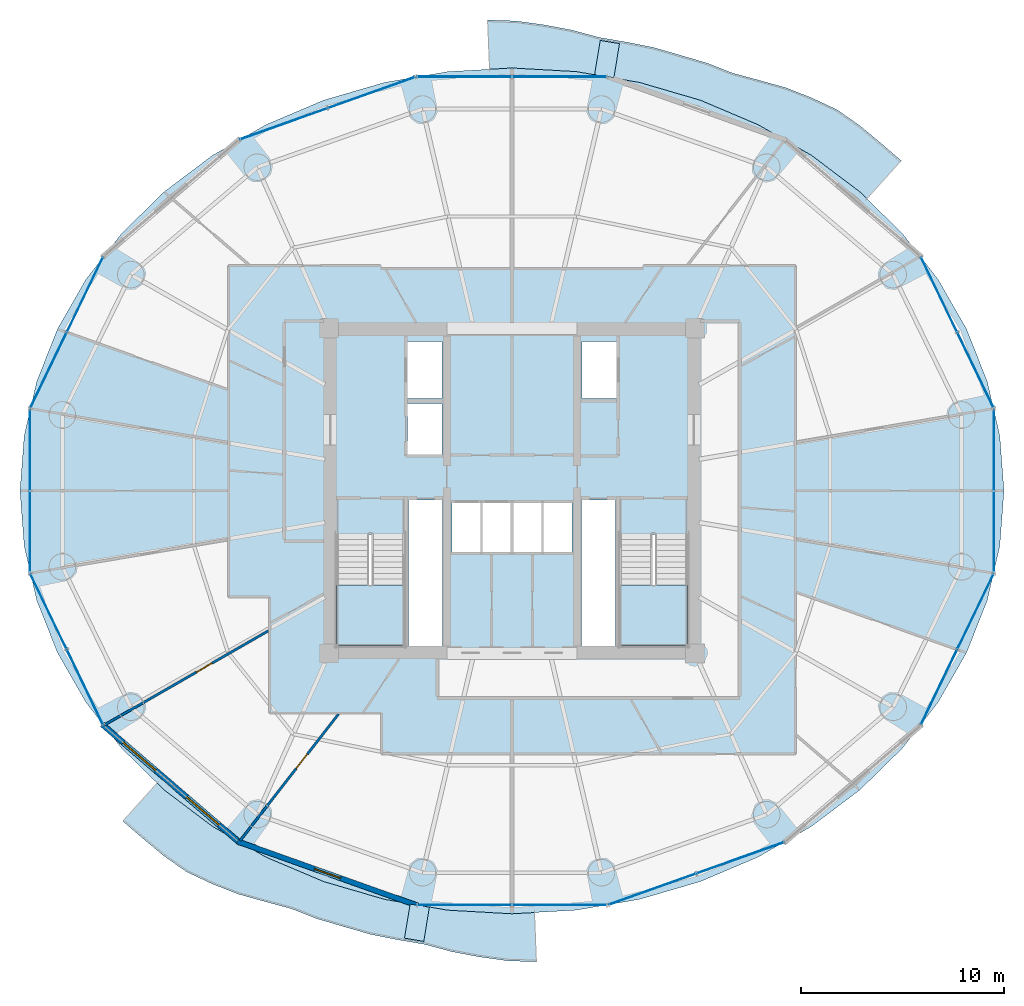
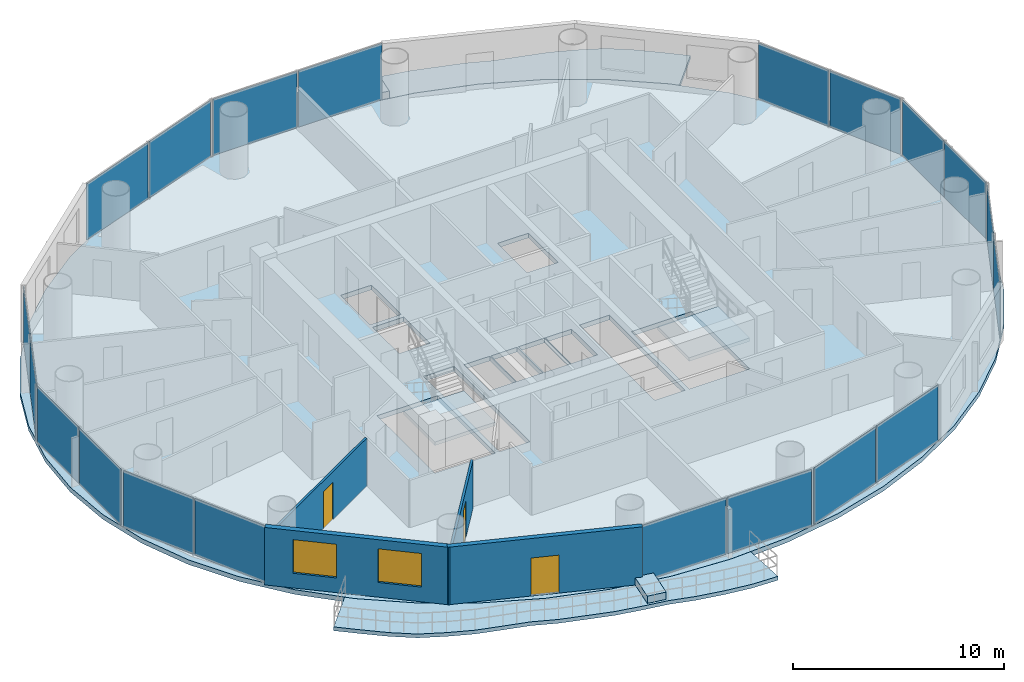
# One storey, part 19 of 26: 20 plates, 7 slabs, 4 walls, 3 doors, 2 windows, 5 openings, 12 elements without a shape of their own.
"""IFC4 building model written with IfcOpenShell, lengths in metres."""

from ifc_helpers import new_model, si_unit, direction, frame, frame_2d, origin, origin_2d, place, context, subcontext, project, spatial, polyline, rectangle, outline, extrude, source, transform, mapped, material, layer, layer_set, type_object, element, fill, aggregate, save


model = new_model("IFC4")

# Units and contexts
model_context = context("Model", 3, precision=1e-05, world=origin(), true_north=direction((-0.2419218956, 0.970295726276)))
body_context = subcontext(model_context, "Body", "Model", "MODEL_VIEW")
ifc_project = project(units=[si_unit("LENGTHUNIT", "METRE"), si_unit("AREAUNIT", "SQUARE_METRE"), si_unit("VOLUMEUNIT", "CUBIC_METRE"), si_unit("PLANEANGLEUNIT", "RADIAN"), si_unit("MASSUNIT", "GRAM", prefix="KILO")], contexts=[model_context])

# Site, building, storey
site_placement = place(None, origin())
site = spatial("IfcSite", under=ifc_project, at=site_placement, CompositionType="ELEMENT")
building_placement = place(site_placement, origin())
building = spatial("IfcBuilding", under=site, at=building_placement, Name="Cobrevalo Terracotta Tower", CompositionType="ELEMENT")
storey_placement = place(building_placement, frame((0.0, 0.0, 175.0)))
storey = spatial("IfcBuildingStorey", under=building, at=storey_placement, Name="L46", CompositionType="ELEMENT", Elevation=175.0)

# Stair, slab
ifc_material_1 = material(Name="Concrete C50", Category="concrete")
stair_type = type_object("IfcStairType", Name="Core protected escape dogleg stair 1600", PredefinedType="HALF_TURN_STAIR", material=ifc_material_1)
stair_1_placement = place(storey_placement, origin())
stair_1 = element("IfcStair", 1, at=stair_1_placement, inside=storey, type_object=stair_type, Name="L46 Protected exit stair ST-1", PredefinedType="HALF_TURN_STAIR")
ifc_layer_1 = layer(ifc_material_1, 0.199951171875)
ifc_layer_set_1 = layer_set([ifc_layer_1], Name="Concrete C50")
slab_type_1 = type_object("IfcSlabType", Name="Reinforced Concrete Stair Landing 200", PredefinedType="LANDING", material=ifc_layer_set_1)
slab_1_placement = place(storey_placement, frame((0.0, 0.0, 1.60009765625)))
slab_1 = element("IfcSlab", 2, at=slab_1_placement, type_object=slab_type_1, Name="ST-1 landing 1", PredefinedType="LANDING", context=body_context, shape_type="SweptSolid", body=[
    extrude(outline(polyline([(29.375, 22.179931640625), (29.375, 19.175048828125), (32.695068359375, 19.175048828125), (32.695068359375, 22.179931640625), (29.375, 22.179931640625)])), origin(), (0.0, 0.0, 1.0), 0.199951171875),
])
aggregate(stair_1, [slab_1])

stair_2_placement = place(storey_placement, origin())
stair_2 = element("IfcStair", 3, at=stair_2_placement, inside=storey, type_object=stair_type, Name="L46 Protected exit stair ST-2", PredefinedType="HALF_TURN_STAIR")
slab_2_placement = place(storey_placement, frame((0.0, 0.0, 1.60009765625)))
slab_2 = element("IfcSlab", 4, at=slab_2_placement, type_object=slab_type_1, Name="ST-2 landing 1", PredefinedType="LANDING", context=body_context, shape_type="SweptSolid", body=[
    extrude(outline(polyline([(43.304931640625, 22.179931640625), (43.304931640625, 19.175048828125), (46.625, 19.175048828125), (46.625, 22.179931640625), (43.304931640625, 22.179931640625)])), origin(), (0.0, 0.0, 1.0), 0.199951171875),
])
aggregate(stair_2, [slab_2])

# Slabs
ifc_material_2 = material(Name="Concrete C45", Category="concrete")
ifc_layer_2 = layer(ifc_material_2, 0.219970703125)
ifc_layer_set_2 = layer_set([ifc_layer_2], Name="Concrete C45")
slab_type_2 = type_object("IfcSlabType", Name="Spiralling cantilevered balcony lobe slab 220 mm", PredefinedType="FLOOR", material=ifc_layer_set_2)
slab_3_placement = place(storey_placement, frame((0.0, 0.0, -0.219970703125)))
element("IfcSlab", 5, at=slab_3_placement, inside=storey, type_object=slab_type_2, Name="L46 spiralling arc balcony slab lobe 1", PredefinedType="FLOOR", context=body_context, shape_type="SweptSolid", body=[
    extrude(outline(polyline([(57.14990234375, 43.038818359375), (56.138427734375, 43.91064453125), (55.100341796875, 44.770751953125), (53.99658203125, 45.54443359375), (52.75390625, 46.12548828125), (51.48583984375, 46.6279296875), (50.160888671875, 46.9970703125), (48.84521484375, 47.35400390625), (47.591064453125, 47.84521484375), (46.286376953125, 48.228271484375), (44.981201171875, 48.60693359375), (43.642333984375, 48.873779296875), (42.292724609375, 49.1044921875), (40.9541015625, 49.4658203125), (39.58349609375, 49.724365234375), (38.19580078125, 49.9150390625), (36.79833984375, 49.9619140625), (36.893798828125, 47.539794921875), (38.0, 47.60205078125), (41.158935546875, 47.424072265625), (44.263916015625, 46.893310546875), (47.26171875, 46.0185546875), (50.10107421875, 44.81494140625), (52.733154296875, 43.30322265625), (55.11328125, 41.50927734375), (55.465576171875, 41.1640625), (57.14990234375, 43.038818359375)])), origin(), (0.0, 0.0, 1.0), 0.219970703125),
])
slab_4_placement = place(storey_placement, frame((0.0, 0.0, -0.219970703125)))
element("IfcSlab", 6, at=slab_4_placement, inside=storey, type_object=slab_type_2, Name="L46 spiralling arc balcony slab lobe 2", PredefinedType="FLOOR", context=body_context, shape_type="SweptSolid", body=[
    extrude(outline(polyline([(18.85009765625, 10.561279296875), (19.861572265625, 9.689453125), (20.899658203125, 8.8291015625), (22.00341796875, 8.055419921875), (23.24609375, 7.474609375), (24.51416015625, 6.97216796875), (25.839111328125, 6.60302734375), (27.15478515625, 6.245849609375), (28.408935546875, 5.754638671875), (29.713623046875, 5.371826171875), (31.018798828125, 4.9931640625), (32.357666015625, 4.72607421875), (33.707275390625, 4.49560546875), (35.0458984375, 4.134033203125), (36.41650390625, 3.875732421875), (37.80419921875, 3.684814453125), (39.20166015625, 3.63818359375), (39.106201171875, 6.060302734375), (38.0, 5.998046875), (34.841064453125, 6.176025390625), (31.736083984375, 6.706787109375), (28.73828125, 7.58154296875), (25.89892578125, 8.784912109375), (23.266845703125, 10.296630859375), (20.88671875, 12.0908203125), (20.534423828125, 12.43603515625), (18.85009765625, 10.561279296875)])), origin(), (0.0, 0.0, 1.0), 0.219970703125),
])
ifc_material_3 = material(Name="Precast concrete C45", Category="concrete")
ifc_layer_3 = layer(ifc_material_3, 0.419921875)
ifc_layer_set_3 = layer_set([ifc_layer_3], Name="Precast concrete C45")
slab_type_3 = type_object("IfcSlabType", Name="Structural tree planter trough base 420 mm", PredefinedType="USERDEFINED", material=ifc_layer_set_3)
slab_5_placement = place(storey_placement, origin())
element("IfcSlab", 7, at=slab_5_placement, inside=storey, type_object=slab_type_3, Name="L46 structural tree planter trough 1", ObjectType="PLANTER", PredefinedType="USERDEFINED", context=body_context, shape_type="SweptSolid", body=[
    extrude(outline(polyline([(43.011474609375, 47.122802734375), (43.286865234375, 48.80029296875), (42.339599609375, 48.9560546875), (42.06396484375, 47.278564453125), (43.011474609375, 47.122802734375)])), origin(), (0.0, 0.0, 1.0), 0.419921875),
])
slab_6_placement = place(storey_placement, origin())
element("IfcSlab", 8, at=slab_6_placement, inside=storey, type_object=slab_type_3, Name="L46 structural tree planter trough 2", ObjectType="PLANTER", PredefinedType="USERDEFINED", context=body_context, shape_type="SweptSolid", body=[
    extrude(outline(polyline([(32.988525390625, 6.47705078125), (32.713134765625, 4.799560546875), (33.660400390625, 4.64404296875), (33.93603515625, 6.321533203125), (32.988525390625, 6.47705078125)])), origin(), (0.0, 0.0, 1.0), 0.419921875),
])
ifc_layer_4 = layer(ifc_material_1, 0.27001953125)
ifc_layer_set_4 = layer_set([ifc_layer_4], Name="Concrete C50")
slab_type_4 = type_object("IfcSlabType", Name="Zone Z3 elliptical floor plate 270 mm", PredefinedType="FLOOR", material=ifc_layer_set_4)
slab_7_placement = place(storey_placement, frame((0.0, 0.0, -0.27001953125)))
element("IfcSlab", 9, at=slab_7_placement, inside=storey, type_object=slab_type_4, Name="L46 indoor elliptical floor slab", PredefinedType="FLOOR", context=body_context, shape_type="SweptSolid", body=[
    extrude(outline(polyline([(61.992919921875, 24.0849609375), (61.37548828125, 21.41650390625), (60.35791015625, 18.840087890625), (58.957763671875, 16.39990234375), (57.19921875, 14.1376953125), (55.112060546875, 12.09228515625), (52.73193359375, 10.29833984375), (50.10009765625, 8.78662109375), (47.260986328125, 7.583251953125), (44.263427734375, 6.708740234375), (41.15869140625, 6.177978515625), (38.0, 6.0), (34.84130859375, 6.177978515625), (31.736572265625, 6.708740234375), (28.739013671875, 7.583251953125), (25.89990234375, 8.78662109375), (23.26806640625, 10.29833984375), (20.887939453125, 12.09228515625), (18.80078125, 14.1376953125), (17.042236328125, 16.39990234375), (15.64208984375, 18.840087890625), (14.62451171875, 21.41650390625), (14.007080078125, 24.0849609375), (13.800048828125, 26.800048828125), (14.007080078125, 29.514892578125), (14.62451171875, 32.183349609375), (15.64208984375, 34.759765625), (17.042236328125, 37.199951171875), (18.80078125, 39.462158203125), (20.887939453125, 41.5078125), (23.26806640625, 43.3017578125), (25.89990234375, 44.813232421875), (28.739013671875, 46.0166015625), (31.736572265625, 46.891357421875), (34.84130859375, 47.422119140625), (38.0, 47.60009765625), (41.15869140625, 47.422119140625), (44.263427734375, 46.891357421875), (47.260986328125, 46.0166015625), (50.10009765625, 44.813232421875), (52.73193359375, 43.3017578125), (55.112060546875, 41.5078125), (57.19921875, 39.462158203125), (58.957763671875, 37.199951171875), (60.35791015625, 34.759765625), (61.37548828125, 32.183349609375), (61.992919921875, 29.514892578125), (62.199951171875, 26.800048828125), (61.992919921875, 24.0849609375)]), holes=[polyline([(32.695068359375, 19.175048828125), (32.695068359375, 24.659912109375), (29.375, 24.659912109375), (29.375, 19.175048828125), (32.695068359375, 19.175048828125)]), polyline([(34.574951171875, 26.360107421875), (32.919921875, 26.360107421875), (32.919921875, 19.175048828125), (34.574951171875, 19.175048828125), (34.574951171875, 26.360107421875)]), polyline([(36.47998046875, 26.25), (35.050048828125, 26.25), (35.050048828125, 23.800048828125), (36.47998046875, 23.800048828125), (36.47998046875, 26.25)]), polyline([(37.9599609375, 23.800048828125), (37.9599609375, 26.25), (36.530029296875, 26.25), (36.530029296875, 23.800048828125), (37.9599609375, 23.800048828125)]), polyline([(34.550048828125, 28.60009765625), (34.550048828125, 31.10009765625), (32.85009765625, 31.10009765625), (32.85009765625, 28.60009765625), (34.550048828125, 28.60009765625)]), polyline([(34.550048828125, 34.14990234375), (32.85009765625, 34.14990234375), (32.85009765625, 31.35009765625), (34.550048828125, 31.35009765625), (34.550048828125, 34.14990234375)]), polyline([(43.304931640625, 19.175048828125), (46.625, 19.175048828125), (46.625, 24.659912109375), (43.304931640625, 24.659912109375), (43.304931640625, 19.175048828125)]), polyline([(43.080078125, 19.175048828125), (43.080078125, 26.360107421875), (41.425048828125, 26.360107421875), (41.425048828125, 19.175048828125), (43.080078125, 19.175048828125)]), polyline([(39.469970703125, 26.25), (38.0400390625, 26.25), (38.0400390625, 23.800048828125), (39.469970703125, 23.800048828125), (39.469970703125, 26.25)]), polyline([(40.949951171875, 23.800048828125), (40.949951171875, 26.25), (39.52001953125, 26.25), (39.52001953125, 23.800048828125), (40.949951171875, 23.800048828125)]), polyline([(43.14990234375, 31.35009765625), (43.14990234375, 34.14990234375), (41.449951171875, 34.14990234375), (41.449951171875, 31.35009765625), (43.14990234375, 31.35009765625)])]), origin(), (0.0, 0.0, 1.0), 0.27001953125),
])

# Curtain wall, plates
ifc_material_4 = material(Name="Anodized aluminium", Category="aluminium")
curtain_wall_type = type_object("IfcCurtainWallType", Name="Mid-tower high-wind unitised curtain wall CW-U2", PredefinedType="NOTDEFINED", material=ifc_material_4)
curtain_wall_1_placement = place(storey_placement, origin())
curtain_wall_1 = element("IfcCurtainWall", 10, at=curtain_wall_1_placement, inside=storey, type_object=curtain_wall_type, Name="L46 curtain wall CW-L46-S04", PredefinedType="NOTDEFINED")
ifc_material_5 = material(Name="Solar-control low-E double glazing", Category="glass")
ifc_layer_5 = layer(ifc_material_5, 0.028076171875)
ifc_layer_set_5 = layer_set([ifc_layer_5], Name="Solar-control low-E double glazing")
plate_type = type_object("IfcPlateType", Name="Tower solar-control low-E vision glass panel 28 mm", PredefinedType="CURTAIN_PANEL", material=ifc_layer_set_5)
shared_shape_1 = source(origin(), body_context, "Body", "SweptSolid", [
    extrude(rectangle(XDim=4.59521484375, YDim=0.035888671875, at=origin_2d()), origin(), (0.0, 0.0, 1.0), 3.25),
])
plate_1_placement = place(storey_placement, frame((40.337646484375, 47.1708984375, 0.0400390625), z_axis=(0.0, 0.0, 1.0), x_axis=(-1.0, 0.0, 0.0)))
plate_1 = element("IfcPlate", 11, at=plate_1_placement, type_object=plate_type, Name="CW-L46-S04 glazing panel B01", PredefinedType="CURTAIN_PANEL", context=body_context, shape_type="MappedRepresentation", body=[
    mapped(shared_shape_1, transform((0.0, 0.0, 0.0), scale=1.0)),
])
plate_2_placement = place(storey_placement, frame((35.662353515625, 47.1708984375, 0.0400390625), z_axis=(0.0, 0.0, 1.0), x_axis=(-1.0, 0.0, 0.0)))
plate_2 = element("IfcPlate", 12, at=plate_2_placement, type_object=plate_type, Name="CW-L46-S04 glazing panel B02", PredefinedType="CURTAIN_PANEL", context=body_context, shape_type="MappedRepresentation", body=[
    mapped(shared_shape_1, transform((0.0, 0.0, 0.0), scale=1.0)),
])
aggregate(curtain_wall_1, [plate_1, plate_2])

curtain_wall_2_placement = place(storey_placement, origin())
curtain_wall_2 = element("IfcCurtainWall", 13, at=curtain_wall_2_placement, inside=storey, type_object=curtain_wall_type, Name="L46 curtain wall CW-L46-S12", PredefinedType="NOTDEFINED")
plate_3_placement = place(storey_placement, frame((35.662353515625, 6.42919921875, 0.0400390625), z_axis=(0.0, 0.0, 1.0), x_axis=(1.0, 0.0, 0.0)))
plate_3 = element("IfcPlate", 14, at=plate_3_placement, type_object=plate_type, Name="CW-L46-S12 glazing panel B01", PredefinedType="CURTAIN_PANEL", context=body_context, shape_type="MappedRepresentation", body=[
    mapped(shared_shape_1, transform((0.0, 0.0, 0.0), scale=1.0)),
])
plate_4_placement = place(storey_placement, frame((40.337646484375, 6.42919921875, 0.0400390625), z_axis=(0.0, 0.0, 1.0), x_axis=(1.0, 0.0, 0.0)))
plate_4 = element("IfcPlate", 15, at=plate_4_placement, type_object=plate_type, Name="CW-L46-S12 glazing panel B02", PredefinedType="CURTAIN_PANEL", context=body_context, shape_type="MappedRepresentation", body=[
    mapped(shared_shape_1, transform((0.0, 0.0, 0.0), scale=1.0)),
])
aggregate(curtain_wall_2, [plate_3, plate_4])

curtain_wall_3_placement = place(storey_placement, origin())
curtain_wall_3 = element("IfcCurtainWall", 16, at=curtain_wall_3_placement, inside=storey, type_object=curtain_wall_type, Name="L46 curtain wall CW-L46-S01", PredefinedType="NOTDEFINED")
shared_shape_2 = source(origin(), body_context, "Body", "SweptSolid", [
    extrude(rectangle(XDim=4.035888671875, YDim=0.035888671875, at=origin_2d()), origin(), (0.0, 0.0, 1.0), 3.25),
])
plate_5_placement = place(storey_placement, frame((60.794677734375, 32.741943359375, 0.0400390625), z_axis=(0.0, 0.0, 1.0), x_axis=(-0.434209440271, 0.900811945957, 0.0)))
plate_5 = element("IfcPlate", 17, at=plate_5_placement, type_object=plate_type, Name="CW-L46-S01 glazing panel B01", PredefinedType="CURTAIN_PANEL", context=body_context, shape_type="MappedRepresentation", body=[
    mapped(shared_shape_2, transform((0.0, 0.0, 0.0), scale=1.0)),
])
plate_6_placement = place(storey_placement, frame((59.007568359375, 36.449462890625, 0.0400390625), z_axis=(0.0, 0.0, 1.0), x_axis=(-0.434209440271, 0.900811945957, 0.0)))
plate_6 = element("IfcPlate", 18, at=plate_6_placement, type_object=plate_type, Name="CW-L46-S01 glazing panel B02", PredefinedType="CURTAIN_PANEL", context=body_context, shape_type="MappedRepresentation", body=[
    mapped(shared_shape_2, transform((0.0, 0.0, 0.0), scale=1.0)),
])
aggregate(curtain_wall_3, [plate_5, plate_6])

curtain_wall_4_placement = place(storey_placement, origin())
curtain_wall_4 = element("IfcCurtainWall", 19, at=curtain_wall_4_placement, inside=storey, type_object=curtain_wall_type, Name="L46 curtain wall CW-L46-S07", PredefinedType="NOTDEFINED")
plate_7_placement = place(storey_placement, frame((16.992431640625, 36.449462890625, 0.0400390625), z_axis=(0.0, 0.0, 1.0), x_axis=(-0.434209440271, -0.900811945957, 0.0)))
plate_7 = element("IfcPlate", 20, at=plate_7_placement, type_object=plate_type, Name="CW-L46-S07 glazing panel B01", PredefinedType="CURTAIN_PANEL", context=body_context, shape_type="MappedRepresentation", body=[
    mapped(shared_shape_2, transform((0.0, 0.0, 0.0), scale=1.0)),
])
plate_8_placement = place(storey_placement, frame((15.205322265625, 32.741943359375, 0.0400390625), z_axis=(0.0, 0.0, 1.0), x_axis=(-0.434209440271, -0.900811945957, 0.0)))
plate_8 = element("IfcPlate", 21, at=plate_8_placement, type_object=plate_type, Name="CW-L46-S07 glazing panel B02", PredefinedType="CURTAIN_PANEL", context=body_context, shape_type="MappedRepresentation", body=[
    mapped(shared_shape_2, transform((0.0, 0.0, 0.0), scale=1.0)),
])
aggregate(curtain_wall_4, [plate_7, plate_8])

curtain_wall_5_placement = place(storey_placement, origin())
curtain_wall_5 = element("IfcCurtainWall", 22, at=curtain_wall_5_placement, inside=storey, type_object=curtain_wall_type, Name="L46 curtain wall CW-L46-S09", PredefinedType="NOTDEFINED")
plate_9_placement = place(storey_placement, frame((15.205322265625, 20.858154296875, 0.0400390625), z_axis=(0.0, 0.0, 1.0), x_axis=(0.434209440271, -0.900811945957, 0.0)))
plate_9 = element("IfcPlate", 23, at=plate_9_placement, type_object=plate_type, Name="CW-L46-S09 glazing panel B01", PredefinedType="CURTAIN_PANEL", context=body_context, shape_type="MappedRepresentation", body=[
    mapped(shared_shape_2, transform((0.0, 0.0, 0.0), scale=1.0)),
])
plate_10_placement = place(storey_placement, frame((16.992431640625, 17.150634765625, 0.0400390625), z_axis=(0.0, 0.0, 1.0), x_axis=(0.434209440271, -0.900811945957, 0.0)))
plate_10 = element("IfcPlate", 24, at=plate_10_placement, type_object=plate_type, Name="CW-L46-S09 glazing panel B02", PredefinedType="CURTAIN_PANEL", context=body_context, shape_type="MappedRepresentation", body=[
    mapped(shared_shape_2, transform((0.0, 0.0, 0.0), scale=1.0)),
])
aggregate(curtain_wall_5, [plate_9, plate_10])

curtain_wall_6_placement = place(storey_placement, origin())
curtain_wall_6 = element("IfcCurtainWall", 25, at=curtain_wall_6_placement, inside=storey, type_object=curtain_wall_type, Name="L46 curtain wall CW-L46-S15", PredefinedType="NOTDEFINED")
plate_11_placement = place(storey_placement, frame((59.007568359375, 17.150634765625, 0.0400390625), z_axis=(0.0, 0.0, 1.0), x_axis=(0.434209440271, 0.900811945957, 0.0)))
plate_11 = element("IfcPlate", 26, at=plate_11_placement, type_object=plate_type, Name="CW-L46-S15 glazing panel B01", PredefinedType="CURTAIN_PANEL", context=body_context, shape_type="MappedRepresentation", body=[
    mapped(shared_shape_2, transform((0.0, 0.0, 0.0), scale=1.0)),
])
plate_12_placement = place(storey_placement, frame((60.794677734375, 20.858154296875, 0.0400390625), z_axis=(0.0, 0.0, 1.0), x_axis=(0.434209440271, 0.900811945957, 0.0)))
plate_12 = element("IfcPlate", 27, at=plate_12_placement, type_object=plate_type, Name="CW-L46-S15 glazing panel B02", PredefinedType="CURTAIN_PANEL", context=body_context, shape_type="MappedRepresentation", body=[
    mapped(shared_shape_2, transform((0.0, 0.0, 0.0), scale=1.0)),
])
aggregate(curtain_wall_6, [plate_11, plate_12])

curtain_wall_7_placement = place(storey_placement, origin())
curtain_wall_7 = element("IfcCurtainWall", 28, at=curtain_wall_7_placement, inside=storey, type_object=curtain_wall_type, Name="L46 curtain wall CW-L46-S08", PredefinedType="NOTDEFINED")
shared_shape_3 = source(origin(), body_context, "Body", "SweptSolid", [
    extrude(rectangle(XDim=3.931884765625, YDim=0.035888671875, at=origin_2d()), origin(), (0.0, 0.0, 1.0), 3.25),
])
plate_13_placement = place(storey_placement, frame((14.29443359375, 28.805908203125, 0.0400390625), z_axis=(0.0, 0.0, 1.0), x_axis=(0.0, -1.0, 0.0)))
plate_13 = element("IfcPlate", 29, at=plate_13_placement, type_object=plate_type, Name="CW-L46-S08 glazing panel B01", PredefinedType="CURTAIN_PANEL", context=body_context, shape_type="MappedRepresentation", body=[
    mapped(shared_shape_3, transform((0.0, 0.0, 0.0), scale=1.0)),
])
plate_14_placement = place(storey_placement, frame((14.29443359375, 24.7939453125, 0.0400390625), z_axis=(0.0, 0.0, 1.0), x_axis=(0.0, -1.0, 0.0)))
plate_14 = element("IfcPlate", 30, at=plate_14_placement, type_object=plate_type, Name="CW-L46-S08 glazing panel B02", PredefinedType="CURTAIN_PANEL", context=body_context, shape_type="MappedRepresentation", body=[
    mapped(shared_shape_3, transform((0.0, 0.0, 0.0), scale=1.0)),
])
aggregate(curtain_wall_7, [plate_13, plate_14])

curtain_wall_8_placement = place(storey_placement, origin())
curtain_wall_8 = element("IfcCurtainWall", 31, at=curtain_wall_8_placement, inside=storey, type_object=curtain_wall_type, Name="L46 curtain wall CW-L46-S16", PredefinedType="NOTDEFINED")
plate_15_placement = place(storey_placement, frame((61.70556640625, 24.7939453125, 0.0400390625), z_axis=(0.0, 0.0, 1.0), x_axis=(0.0, 1.0, 0.0)))
plate_15 = element("IfcPlate", 32, at=plate_15_placement, type_object=plate_type, Name="CW-L46-S16 glazing panel B01", PredefinedType="CURTAIN_PANEL", context=body_context, shape_type="MappedRepresentation", body=[
    mapped(shared_shape_3, transform((0.0, 0.0, 0.0), scale=1.0)),
])
plate_16_placement = place(storey_placement, frame((61.70556640625, 28.805908203125, 0.0400390625), z_axis=(0.0, 0.0, 1.0), x_axis=(0.0, 1.0, 0.0)))
plate_16 = element("IfcPlate", 33, at=plate_16_placement, type_object=plate_type, Name="CW-L46-S16 glazing panel B02", PredefinedType="CURTAIN_PANEL", context=body_context, shape_type="MappedRepresentation", body=[
    mapped(shared_shape_3, transform((0.0, 0.0, 0.0), scale=1.0)),
])
aggregate(curtain_wall_8, [plate_15, plate_16])

curtain_wall_9_placement = place(storey_placement, origin())
curtain_wall_9 = element("IfcCurtainWall", 34, at=curtain_wall_9_placement, inside=storey, type_object=curtain_wall_type, Name="L46 curtain wall CW-L46-S05", PredefinedType="NOTDEFINED")
shared_shape_4 = source(origin(), body_context, "Body", "SweptSolid", [
    extrude(rectangle(XDim=4.504150390625, YDim=0.035888671875, at=origin_2d()), origin(), (0.0, 0.0, 1.0), 3.25),
])
plate_17_placement = place(storey_placement, frame((31.087646484375, 46.388916015625, 0.0400390625), z_axis=(0.0, 0.0, 1.0), x_axis=(-0.942098428897, -0.335336473217, 0.0)))
plate_17 = element("IfcPlate", 35, at=plate_17_placement, type_object=plate_type, Name="CW-L46-S05 glazing panel B01", PredefinedType="CURTAIN_PANEL", context=body_context, shape_type="MappedRepresentation", body=[
    mapped(shared_shape_4, transform((0.0, 0.0, 0.0), scale=1.0)),
])
plate_18_placement = place(storey_placement, frame((26.768798828125, 44.8515625, 0.0400390625), z_axis=(0.0, 0.0, 1.0), x_axis=(-0.942098428897, -0.335336473217, 0.0)))
plate_18 = element("IfcPlate", 36, at=plate_18_placement, type_object=plate_type, Name="CW-L46-S05 glazing panel B02", PredefinedType="CURTAIN_PANEL", context=body_context, shape_type="MappedRepresentation", body=[
    mapped(shared_shape_4, transform((0.0, 0.0, 0.0), scale=1.0)),
])
aggregate(curtain_wall_9, [plate_17, plate_18])

curtain_wall_10_placement = place(storey_placement, origin())
curtain_wall_10 = element("IfcCurtainWall", 37, at=curtain_wall_10_placement, inside=storey, type_object=curtain_wall_type, Name="L46 curtain wall CW-L46-S13", PredefinedType="NOTDEFINED")
plate_19_placement = place(storey_placement, frame((44.912353515625, 7.211181640625, 0.0400390625), z_axis=(0.0, 0.0, 1.0), x_axis=(0.942098428897, 0.335336473217, 0.0)))
plate_19 = element("IfcPlate", 38, at=plate_19_placement, type_object=plate_type, Name="CW-L46-S13 glazing panel B01", PredefinedType="CURTAIN_PANEL", context=body_context, shape_type="MappedRepresentation", body=[
    mapped(shared_shape_4, transform((0.0, 0.0, 0.0), scale=1.0)),
])
plate_20_placement = place(storey_placement, frame((49.231201171875, 8.748291015625, 0.0400390625), z_axis=(0.0, 0.0, 1.0), x_axis=(0.942098428897, 0.335336473217, 0.0)))
plate_20 = element("IfcPlate", 39, at=plate_20_placement, type_object=plate_type, Name="CW-L46-S13 glazing panel B02", PredefinedType="CURTAIN_PANEL", context=body_context, shape_type="MappedRepresentation", body=[
    mapped(shared_shape_4, transform((0.0, 0.0, 0.0), scale=1.0)),
])
aggregate(curtain_wall_10, [plate_19, plate_20])

# Wall, openings, windows
ifc_material_6 = material(Name="Autoclaved aerated concrete block", Category="concrete")
ifc_layer_6 = layer(ifc_material_6, 0.280029296875)
ifc_layer_set_6 = layer_set([ifc_layer_6], Name="Autoclaved aerated concrete block")
wall_type_1 = type_object("IfcWallType", Name="Insulated tower spandrel & pier wall 280 mm with terracotta rainscreen", PredefinedType="SOLIDWALL", material=ifc_layer_set_6)
wall_1_placement = place(storey_placement, frame((17.8427734375, 15.31298828125, 0.0), z_axis=(0.0, 0.0, 1.0), x_axis=(0.75843401647, -0.651749831348, 0.0)))
wall_1 = element("IfcWall", 40, at=wall_1_placement, inside=storey, type_object=wall_type_1, Name="L46 terracotta rainscreen pier wall S10", PredefinedType="SOLIDWALL", context=body_context, shape_type="SweptSolid", body=[
    extrude(rectangle(XDim=8.952392578125, YDim=0.280029296875, at=frame_2d((4.47607421875, 0.0))), origin(), (0.0, 0.0, 1.0), 3.330078125),
])
opening_1_placement = place(wall_1_placement, frame((1.3671875, 0.0, 0.85009765625)))
opening_1 = element("IfcOpeningElement", 41, at=opening_1_placement, cuts=wall_1, Name="Opening WN-10", PredefinedType="OPENING", context=body_context, shape_type="SweptSolid", body=[
    extrude(rectangle(XDim=2.10009765625, YDim=1.949951171875, at=frame_2d((1.050048828125, 0.97509765625))), frame((0.0, 0.14990234375, 0.0), z_axis=(0.0, -1.0, 0.0), x_axis=(1.0, 0.0, 0.0)), (0.0, 0.0, 1.0), 0.300048828125),
])
opening_2_placement = place(wall_1_placement, frame((5.4853515625, 0.0, 0.85009765625)))
opening_2 = element("IfcOpeningElement", 42, at=opening_2_placement, cuts=wall_1, Name="Opening WN-10", PredefinedType="OPENING", context=body_context, shape_type="SweptSolid", body=[
    extrude(rectangle(XDim=2.10009765625, YDim=1.949951171875, at=frame_2d((1.050048828125, 0.97509765625))), frame((0.0, 0.14990234375, 0.0), z_axis=(0.0, -1.0, 0.0), x_axis=(1.0, 0.0, 0.0)), (0.0, 0.0, 1.0), 0.300048828125),
])
window_type = type_object("IfcWindowType", Name="Wide panoramic low-E aluminium window 2100x1950", PartitioningType="SINGLE_PANEL", PredefinedType="WINDOW", material=ifc_material_5)
shared_shape_5 = source(origin(), body_context, "Body", "SweptSolid", [
    extrude(rectangle(XDim=2.10009765625, YDim=1.949951171875, at=frame_2d((1.050048828125, 0.97509765625))), frame((0.0, 0.030029296875, 0.0), z_axis=(0.0, -1.0, 0.0), x_axis=(1.0, 0.0, 0.0)), (0.0, 0.0, 1.0), 0.06005859375),
])
window_1_placement = place(opening_1_placement, origin())
window_1 = element("IfcWindow", 43, at=window_1_placement, inside=storey, type_object=window_type, Name="L46 suite window S10A", OverallHeight=1.949951171875, OverallWidth=2.10009765625, PartitioningType="SINGLE_PANEL", PredefinedType="WINDOW", context=body_context, shape_type="MappedRepresentation", body=[
    mapped(shared_shape_5, transform((0.0, 0.0, 0.0), scale=1.0)),
])
fill(opening_1, window_1)
window_2_placement = place(opening_2_placement, origin())
window_2 = element("IfcWindow", 44, at=window_2_placement, inside=storey, type_object=window_type, Name="L46 suite window S10B", OverallHeight=1.949951171875, OverallWidth=2.10009765625, PartitioningType="SINGLE_PANEL", PredefinedType="WINDOW", context=body_context, shape_type="MappedRepresentation", body=[
    mapped(shared_shape_5, transform((0.0, 0.0, 0.0), scale=1.0)),
])
fill(opening_2, window_2)

# Wall, opening, door
ifc_layer_7 = layer(ifc_material_6, 0.260009765625)
ifc_layer_set_7 = layer_set([ifc_layer_7], Name="Autoclaved aerated concrete block")
wall_type_2 = type_object("IfcWallType", Name="Recessed balcony loggia insulated exterior wall 260 mm", PredefinedType="SOLIDWALL", material=ifc_layer_set_7)
wall_2_placement = place(storey_placement, frame((24.49658203125, 9.55712890625, 0.0), z_axis=(0.0, 0.0, 1.0), x_axis=(0.942103604331, -0.335321932934, 0.0)))
wall_2 = element("IfcWall", 45, at=wall_2_placement, inside=storey, type_object=wall_type_2, Name="L46 balcony loggia wall S11", PredefinedType="SOLIDWALL", context=body_context, shape_type="SweptSolid", body=[
    extrude(rectangle(XDim=9.408203125, YDim=0.260009765625, at=frame_2d((4.7041015625, 0.0))), origin(), (0.0, 0.0, 1.0), 3.330078125),
])
opening_3_placement = place(wall_2_placement, frame((4.029052734375, 0.0, 0.0)))
opening_3 = element("IfcOpeningElement", 46, at=opening_3_placement, cuts=wall_2, Name="Opening ED-05", PredefinedType="OPENING", context=body_context, shape_type="SweptSolid", body=[
    extrude(rectangle(XDim=1.35009765625, YDim=2.199951171875, at=frame_2d((0.675048828125, 1.10009765625))), frame((0.0, 0.14013671875, 0.0), z_axis=(0.0, -1.0, 0.0), x_axis=(1.0, 0.0, 0.0)), (0.0, 0.0, 1.0), 0.280029296875),
])
ifc_material_7 = material(Name="Anodized aluminium and laminated glass", Category="aluminium")
door_type_1 = type_object("IfcDoorType", Name="Suite balcony acoustic glazed terrace door 1350x2200", OperationType="NOTDEFINED", PredefinedType="DOOR", material=ifc_material_7)
shared_shape_6 = source(origin(), body_context, "Body", "SweptSolid", [
    extrude(rectangle(XDim=1.35009765625, YDim=2.199951171875, at=frame_2d((0.675048828125, 1.10009765625))), frame((0.0, 0.02490234375, 0.0), z_axis=(0.0, -1.0, 0.0), x_axis=(1.0, 0.0, 0.0)), (0.0, 0.0, 1.0), 0.050048828125),
])
door_1_placement = place(opening_3_placement, frame((1.35009765625, 0.0, 0.0), z_axis=(0.0, 0.0, 1.0), x_axis=(-1.0, 0.0, 0.0)))
door_1 = element("IfcDoor", 47, at=door_1_placement, inside=storey, type_object=door_type_1, Name="L46 glazed balcony terrace door 2", OperationType="SINGLE_SWING_RIGHT", OverallHeight=2.199951171875, OverallWidth=1.35009765625, PredefinedType="DOOR", context=body_context, shape_type="MappedRepresentation", body=[
    mapped(shared_shape_6, transform((0.0, 0.0, 0.0), scale=1.0)),
])
fill(opening_3, door_1)

ifc_material_8 = material(Name="Gypsum board on steel stud", Category="steel")
ifc_layer_8 = layer(ifc_material_8, 0.1201171875)
ifc_layer_set_8 = layer_set([ifc_layer_8], Name="Gypsum board on steel stud")
wall_type_3 = type_object("IfcWallType", Name="Residential internal acoustic stud partition 120 mm", PredefinedType="PARTITIONING", material=ifc_layer_set_8)
wall_3_placement = place(storey_placement, frame((26.021240234375, 19.920654296875, 0.0), z_axis=(0.0, 0.0, 1.0), x_axis=(-0.867161148693, -0.498027652041, 0.0)))
wall_3 = element("IfcWall", 48, at=wall_3_placement, inside=storey, type_object=wall_type_3, Name="L46 interior partition IW-L46-U1-ORAD4", PredefinedType="PARTITIONING", context=body_context, shape_type="SweptSolid", body=[
    extrude(rectangle(XDim=9.279296875, YDim=0.1201171875, at=frame_2d((4.6396484375, 0.0))), origin(), (0.0, 0.0, 1.0), 2.77587890625),
])
opening_4_placement = place(wall_3_placement, frame((3.19189453125, 0.0, 0.0)))
opening_4 = element("IfcOpeningElement", 49, at=opening_4_placement, cuts=wall_3, Name="Opening ID-12", PredefinedType="OPENING", context=body_context, shape_type="SweptSolid", body=[
    extrude(rectangle(XDim=0.89990234375, YDim=2.14990234375, at=frame_2d((0.449951171875, 1.074951171875))), frame((0.0, 0.070068359375, 0.0), z_axis=(0.0, -1.0, 0.0), x_axis=(1.0, 0.0, 0.0)), (0.0, 0.0, 1.0), 0.14013671875),
])
ifc_material_9 = material(Name="Engineered timber", Category="wood")
door_type_2 = type_object("IfcDoorType", Name="Internal residence & suite timber door 900x2150", OperationType="NOTDEFINED", PredefinedType="DOOR", material=ifc_material_9)
shared_shape_7 = source(origin(), body_context, "Body", "SweptSolid", [
    extrude(rectangle(XDim=0.89990234375, YDim=2.14990234375, at=frame_2d((0.449951171875, 1.074951171875))), frame((0.0, 0.02490234375, 0.0), z_axis=(0.0, -1.0, 0.0), x_axis=(1.0, 0.0, 0.0)), (0.0, 0.0, 1.0), 0.050048828125),
])
door_2_placement = place(opening_4_placement, origin())
door_2 = element("IfcDoor", 50, at=door_2_placement, inside=storey, type_object=door_type_2, Name="Flat L46A Penthouse Family Lounge internal door", OperationType="SINGLE_SWING_LEFT", OverallHeight=2.14990234375, OverallWidth=0.89990234375, PredefinedType="DOOR", context=body_context, shape_type="MappedRepresentation", body=[
    mapped(shared_shape_7, transform((0.0, 0.0, 0.0), scale=1.0)),
])
fill(opening_4, door_2)

wall_4_placement = place(storey_placement, frame((29.46875, 15.826171875, 0.0), z_axis=(0.0, 0.0, 1.0), x_axis=(-0.61373942367, -0.789508657225, 0.0)))
wall_4 = element("IfcWall", 51, at=wall_4_placement, inside=storey, type_object=wall_type_3, Name="L46 interior partition IW-L46-U1-ORAD5", PredefinedType="PARTITIONING", context=body_context, shape_type="SweptSolid", body=[
    extrude(rectangle(XDim=7.897705078125, YDim=0.1201171875, at=frame_2d((3.94873046875, 0.0))), origin(), (0.0, 0.0, 1.0), 2.77587890625),
])
opening_5_placement = place(wall_4_placement, frame((2.50048828125, 0.0, 0.0)))
opening_5 = element("IfcOpeningElement", 52, at=opening_5_placement, cuts=wall_4, Name="Opening ID-12", PredefinedType="OPENING", context=body_context, shape_type="SweptSolid", body=[
    extrude(rectangle(XDim=0.89990234375, YDim=2.14990234375, at=frame_2d((0.449951171875, 1.074951171875))), frame((0.0, 0.070068359375, 0.0), z_axis=(0.0, -1.0, 0.0), x_axis=(1.0, 0.0, 0.0)), (0.0, 0.0, 1.0), 0.14013671875),
])
door_3_placement = place(opening_5_placement, origin())
door_3 = element("IfcDoor", 53, at=door_3_placement, inside=storey, type_object=door_type_2, Name="Flat L46A Private Cinema Room internal door", OperationType="SINGLE_SWING_RIGHT", OverallHeight=2.14990234375, OverallWidth=0.89990234375, PredefinedType="DOOR", context=body_context, shape_type="MappedRepresentation", body=[
    mapped(shared_shape_7, transform((0.0, 0.0, 0.0), scale=1.0)),
])
fill(opening_5, door_3)

save(model, "model.ifc")
